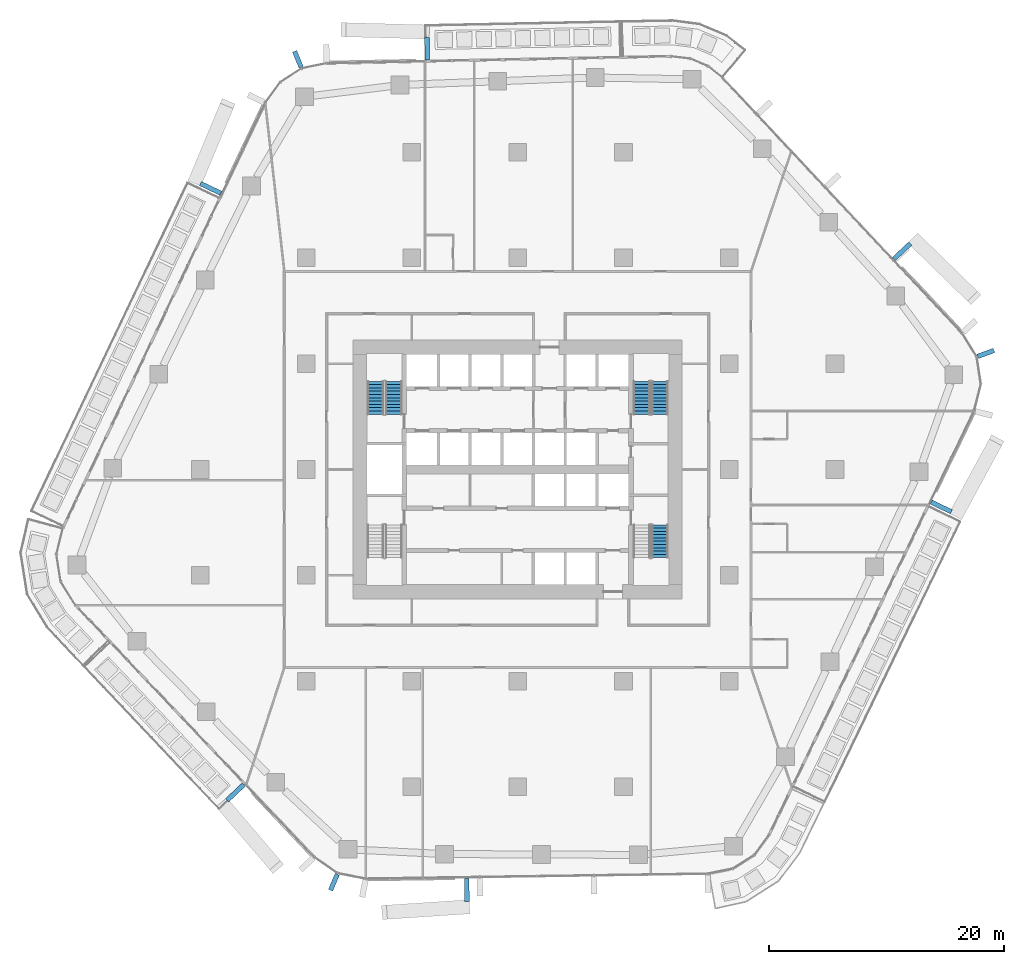
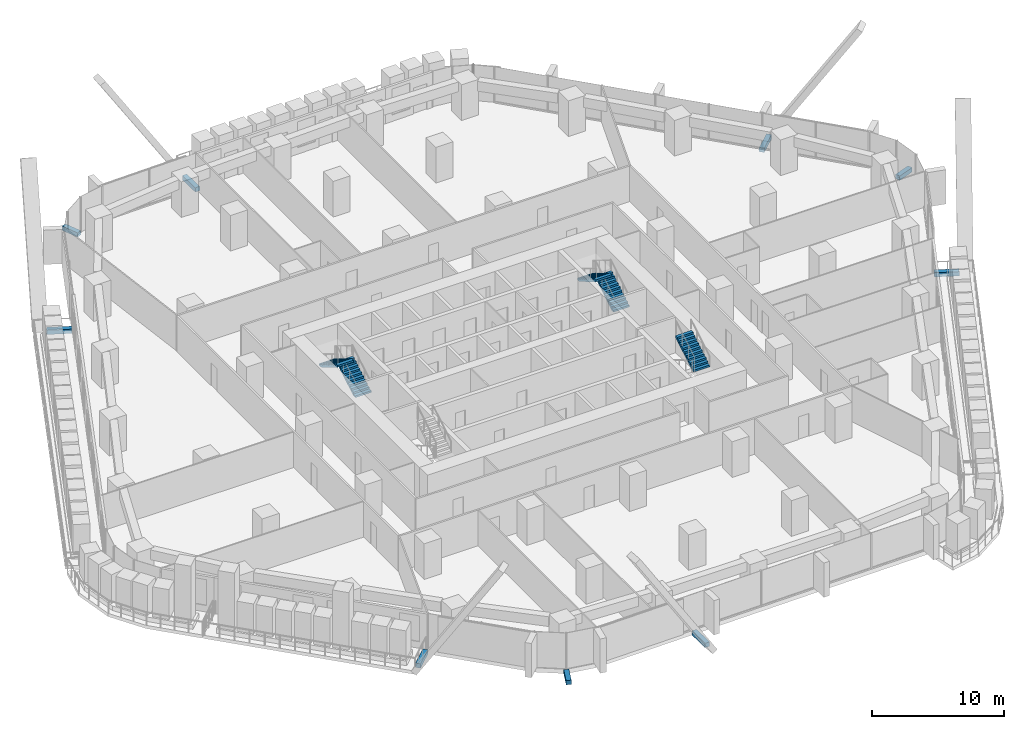
# One storey, part 18 of 24: 9 discrete accessories, 5 stair flights, 3 elements without a shape of their own.
"""IFC4 building model written with IfcOpenShell, lengths in metres."""

from ifc_helpers import new_model, si_unit, direction, frame, origin, origin_2d, place, context, subcontext, project, spatial, polyline, rectangle, outline, extrude, material, layer, layer_set, type_object, element, aggregate, save


model = new_model("IFC4")

# Units and contexts
model_context = context("Model", 3, precision=1e-05, world=origin(), true_north=direction((0.0, 1.0)))
body_context = subcontext(model_context, "Body", "Model", "MODEL_VIEW")
ifc_project = project(units=[si_unit("LENGTHUNIT", "METRE"), si_unit("AREAUNIT", "SQUARE_METRE"), si_unit("VOLUMEUNIT", "CUBIC_METRE"), si_unit("PLANEANGLEUNIT", "RADIAN"), si_unit("MASSUNIT", "GRAM", prefix="KILO")], contexts=[model_context])

# Site, building, storey
site_placement = place(None, origin())
site = spatial("IfcSite", under=ifc_project, at=site_placement, CompositionType="ELEMENT")
building_placement = place(site_placement, origin())
building = spatial("IfcBuilding", under=site, at=building_placement, Name="Dongbaek Canopy Tower", CompositionType="ELEMENT")
storey_placement = place(building_placement, frame((0.0, 0.0, 51.39990234375)))
storey = spatial("IfcBuildingStorey", under=building, at=storey_placement, Name="L08", CompositionType="ELEMENT", Elevation=51.39990234375)

# Stair, stair flights
ifc_material_1 = material(Name="Concrete C40/50", Category="concrete")
stair_type = type_object("IfcStairType", Name="Core exit stair", PredefinedType="HALF_TURN_STAIR", material=ifc_material_1)
stair_1_placement = place(storey_placement, origin())
stair_1 = element("IfcStair", 1, at=stair_1_placement, inside=storey, type_object=stair_type, Name="L08 exit stair A", PredefinedType="HALF_TURN_STAIR")
ifc_material_2 = material(Name="Concrete C40/50", Category="concrete")
ifc_layer = layer(ifc_material_2, 0.14990234375)
ifc_layer_set = layer_set([ifc_layer], Name="Core stair flight 150 waist")
stair_flight_type = type_object("IfcStairFlightType", Name="Core stair flight 150 waist", PredefinedType="STRAIGHT", material=ifc_layer_set)
stair_flight_1_placement = place(storey_placement, frame((12.10009765625, 4.699951171875, 0.0), z_axis=(0.0, 0.0, 1.0), x_axis=(0.0, 1.0, 0.0)))
stair_flight_1 = element("IfcStairFlight", 2, at=stair_flight_1_placement, type_object=stair_flight_type, Name="ST-A flight 1", NumberOfRisers=11, NumberOfTreads=10, PredefinedType="STRAIGHT", RiserHeight=0.168181818, TreadLength=0.28, context=body_context, shape_type="SweptSolid", body=[
    extrude(outline(polyline([(0.0, 0.0), (0.0, 0.168212890625), (0.280029296875, 0.168212890625), (0.280029296875, 0.33642578125), (0.56005859375, 0.33642578125), (0.56005859375, 0.504638671875), (0.840087890625, 0.504638671875), (0.840087890625, 0.672607421875), (1.1201171875, 0.672607421875), (1.1201171875, 0.8408203125), (1.39990234375, 0.8408203125), (1.39990234375, 1.009033203125), (1.679931640625, 1.009033203125), (1.679931640625, 1.17724609375), (1.9599609375, 1.17724609375), (1.9599609375, 1.345458984375), (2.239990234375, 1.345458984375), (2.239990234375, 1.513671875), (2.52001953125, 1.513671875), (2.52001953125, 1.681884765625), (2.800048828125, 1.681884765625), (2.800048828125, 1.85009765625), (2.800048828125, 1.5068359375), (0.291015625, 0.0), (0.0, 0.0)])), frame((0.0, 0.699951171875, 0.0), z_axis=(0.0, -1.0, 0.0), x_axis=(1.0, 0.0, 0.0)), (0.0, 0.0, 1.0), 1.39990234375),
])
stair_flight_2_placement = place(storey_placement, frame((10.550048828125, 7.5, 1.85009765625), z_axis=(0.0, 0.0, 1.0), x_axis=(0.0, -1.0, 0.0)))
stair_flight_2 = element("IfcStairFlight", 3, at=stair_flight_2_placement, type_object=stair_flight_type, Name="ST-A flight 2", NumberOfRisers=11, NumberOfTreads=10, PredefinedType="STRAIGHT", RiserHeight=0.168181818, TreadLength=0.28, context=body_context, shape_type="SweptSolid", body=[
    extrude(outline(polyline([(0.0, 0.0), (0.0, 0.168212890625), (0.280029296875, 0.168212890625), (0.280029296875, 0.33642578125), (0.56005859375, 0.33642578125), (0.56005859375, 0.504638671875), (0.840087890625, 0.504638671875), (0.840087890625, 0.672607421875), (1.1201171875, 0.672607421875), (1.1201171875, 0.8408203125), (1.39990234375, 0.8408203125), (1.39990234375, 1.009033203125), (1.679931640625, 1.009033203125), (1.679931640625, 1.17724609375), (1.9599609375, 1.17724609375), (1.9599609375, 1.345458984375), (2.239990234375, 1.345458984375), (2.239990234375, 1.513671875), (2.52001953125, 1.513671875), (2.52001953125, 1.681884765625), (2.800048828125, 1.681884765625), (2.800048828125, 1.85009765625), (2.800048828125, 1.5068359375), (0.291015625, 0.0), (0.0, 0.0)])), frame((0.0, 0.699951171875, 0.0), z_axis=(0.0, -1.0, 0.0), x_axis=(1.0, 0.0, 0.0)), (0.0, 0.0, 1.0), 1.39990234375),
])
aggregate(stair_1, [stair_flight_1, stair_flight_2])

stair_2_placement = place(storey_placement, origin())
stair_2 = element("IfcStair", 4, at=stair_2_placement, inside=storey, type_object=stair_type, Name="L08 exit stair C", PredefinedType="HALF_TURN_STAIR")
stair_flight_3_placement = place(storey_placement, frame((-10.550048828125, 4.699951171875, 0.0), z_axis=(0.0, 0.0, 1.0), x_axis=(0.0, 1.0, 0.0)))
stair_flight_3 = element("IfcStairFlight", 5, at=stair_flight_3_placement, type_object=stair_flight_type, Name="ST-C flight 1", NumberOfRisers=11, NumberOfTreads=10, PredefinedType="STRAIGHT", RiserHeight=0.168181818, TreadLength=0.28, context=body_context, shape_type="SweptSolid", body=[
    extrude(outline(polyline([(0.0, 0.0), (0.0, 0.168212890625), (0.280029296875, 0.168212890625), (0.280029296875, 0.33642578125), (0.56005859375, 0.33642578125), (0.56005859375, 0.504638671875), (0.840087890625, 0.504638671875), (0.840087890625, 0.672607421875), (1.1201171875, 0.672607421875), (1.1201171875, 0.8408203125), (1.39990234375, 0.8408203125), (1.39990234375, 1.009033203125), (1.679931640625, 1.009033203125), (1.679931640625, 1.17724609375), (1.9599609375, 1.17724609375), (1.9599609375, 1.345458984375), (2.239990234375, 1.345458984375), (2.239990234375, 1.513671875), (2.52001953125, 1.513671875), (2.52001953125, 1.681884765625), (2.800048828125, 1.681884765625), (2.800048828125, 1.85009765625), (2.800048828125, 1.5068359375), (0.291015625, 0.0), (0.0, 0.0)])), frame((0.0, 0.699951171875, 0.0), z_axis=(0.0, -1.0, 0.0), x_axis=(1.0, 0.0, 0.0)), (0.0, 0.0, 1.0), 1.39990234375),
])
stair_flight_4_placement = place(storey_placement, frame((-12.10009765625, 7.5, 1.85009765625), z_axis=(0.0, 0.0, 1.0), x_axis=(0.0, -1.0, 0.0)))
stair_flight_4 = element("IfcStairFlight", 6, at=stair_flight_4_placement, type_object=stair_flight_type, Name="ST-C flight 2", NumberOfRisers=11, NumberOfTreads=10, PredefinedType="STRAIGHT", RiserHeight=0.168181818, TreadLength=0.28, context=body_context, shape_type="SweptSolid", body=[
    extrude(outline(polyline([(0.0, 0.0), (0.0, 0.168212890625), (0.280029296875, 0.168212890625), (0.280029296875, 0.33642578125), (0.56005859375, 0.33642578125), (0.56005859375, 0.504638671875), (0.840087890625, 0.504638671875), (0.840087890625, 0.672607421875), (1.1201171875, 0.672607421875), (1.1201171875, 0.8408203125), (1.39990234375, 0.8408203125), (1.39990234375, 1.009033203125), (1.679931640625, 1.009033203125), (1.679931640625, 1.17724609375), (1.9599609375, 1.17724609375), (1.9599609375, 1.345458984375), (2.239990234375, 1.345458984375), (2.239990234375, 1.513671875), (2.52001953125, 1.513671875), (2.52001953125, 1.681884765625), (2.800048828125, 1.681884765625), (2.800048828125, 1.85009765625), (2.800048828125, 1.5068359375), (0.291015625, 0.0), (0.0, 0.0)])), frame((0.0, 0.699951171875, 0.0), z_axis=(0.0, -1.0, 0.0), x_axis=(1.0, 0.0, 0.0)), (0.0, 0.0, 1.0), 1.39990234375),
])
aggregate(stair_2, [stair_flight_3, stair_flight_4])

# Stair, stair flight
stair_3_placement = place(storey_placement, origin())
stair_3 = element("IfcStair", 7, at=stair_3_placement, inside=storey, type_object=stair_type, Name="L08 exit stair B", PredefinedType="HALF_TURN_STAIR")
stair_flight_5_placement = place(storey_placement, frame((12.10009765625, -7.5, 1.85009765625), z_axis=(0.0, 0.0, 1.0), x_axis=(0.0, 1.0, 0.0)))
stair_flight_5 = element("IfcStairFlight", 8, at=stair_flight_5_placement, type_object=stair_flight_type, Name="ST-B flight 2", NumberOfRisers=11, NumberOfTreads=10, PredefinedType="STRAIGHT", RiserHeight=0.168181818, TreadLength=0.28, context=body_context, shape_type="SweptSolid", body=[
    extrude(outline(polyline([(0.0, 0.0), (0.0, 0.168212890625), (0.280029296875, 0.168212890625), (0.280029296875, 0.33642578125), (0.56005859375, 0.33642578125), (0.56005859375, 0.504638671875), (0.840087890625, 0.504638671875), (0.840087890625, 0.672607421875), (1.1201171875, 0.672607421875), (1.1201171875, 0.8408203125), (1.39990234375, 0.8408203125), (1.39990234375, 1.009033203125), (1.679931640625, 1.009033203125), (1.679931640625, 1.17724609375), (1.9599609375, 1.17724609375), (1.9599609375, 1.345458984375), (2.239990234375, 1.345458984375), (2.239990234375, 1.513671875), (2.52001953125, 1.513671875), (2.52001953125, 1.681884765625), (2.800048828125, 1.681884765625), (2.800048828125, 1.85009765625), (2.800048828125, 1.5068359375), (0.291015625, 0.0), (0.0, 0.0)])), frame((0.0, 0.699951171875, 0.0), z_axis=(0.0, -1.0, 0.0), x_axis=(1.0, 0.0, 0.0)), (0.0, 0.0, 1.0), 1.39990234375),
])
aggregate(stair_3, [stair_flight_5])

# Discrete accessories
ifc_material_3 = material(Name="Galvanised steel S355 bracket", Category="steel")
discrete_accessory_type = type_object("IfcDiscreteAccessoryType", Name="Crease fin bracket BR3 400", PredefinedType="BRACKET", material=ifc_material_3)
discrete_accessory_1_placement = place(storey_placement, frame((36.043212890625, -3.18505859375, -0.39990234375), z_axis=(0.0, 0.0, 1.0), x_axis=(0.900311934697, -0.435245241493, 0.0)))
element("IfcDiscreteAccessory", 9, at=discrete_accessory_1_placement, inside=storey, type_object=discrete_accessory_type, Name="Crease fin bracket L08 F5", PredefinedType="BRACKET", context=body_context, shape_type="SweptSolid", body=[
    extrude(rectangle(XDim=1.902587890625, YDim=0.39990234375, at=origin_2d()), origin(), (0.0, 0.0, 1.0), 0.39990234375),
])
discrete_accessory_2_placement = place(storey_placement, frame((32.712646484375, 18.56982421875, -0.39990234375), z_axis=(0.0, 0.0, 1.0), x_axis=(0.729368747427, 0.684120771704, 0.0)))
element("IfcDiscreteAccessory", 10, at=discrete_accessory_2_placement, inside=storey, type_object=discrete_accessory_type, Name="Crease fin bracket L08 F0", PredefinedType="BRACKET", context=body_context, shape_type="SweptSolid", body=[
    extrude(rectangle(XDim=1.9033203125, YDim=0.39990234375, at=origin_2d()), origin(), (0.0, 0.0, 1.0), 0.39990234375),
])
discrete_accessory_3_placement = place(storey_placement, frame((-7.697509765625, 35.791015625, -0.39990234375), z_axis=(0.0, 0.0, 1.0), x_axis=(-0.019925105424, 0.999801475381, 0.0)))
element("IfcDiscreteAccessory", 11, at=discrete_accessory_3_placement, inside=storey, type_object=discrete_accessory_type, Name="Crease fin bracket L08 F1", PredefinedType="BRACKET", context=body_context, shape_type="SweptSolid", body=[
    extrude(rectangle(XDim=1.916259765625, YDim=0.39990234375, at=origin_2d()), origin(), (0.0, 0.0, 1.0), 0.39990234375),
])
discrete_accessory_4_placement = place(storey_placement, frame((-26.1162109375, 23.913818359375, -0.39990234375), z_axis=(0.0, 0.0, 1.0), x_axis=(-0.902929129641, 0.429789468049, 0.0)))
element("IfcDiscreteAccessory", 12, at=discrete_accessory_4_placement, inside=storey, type_object=discrete_accessory_type, Name="Crease fin bracket L08 F2", PredefinedType="BRACKET", context=body_context, shape_type="SweptSolid", body=[
    extrude(rectangle(XDim=1.9248046875, YDim=0.39990234375, at=origin_2d()), origin(), (0.0, 0.0, 1.0), 0.39990234375),
])
discrete_accessory_5_placement = place(storey_placement, frame((-24.002685546875, -27.4736328125, -0.39990234375), z_axis=(0.0, 0.0, 1.0), x_axis=(-0.725626617414, -0.688088665871, 0.0)))
element("IfcDiscreteAccessory", 13, at=discrete_accessory_5_placement, inside=storey, type_object=discrete_accessory_type, Name="Crease fin bracket L08 F3", PredefinedType="BRACKET", context=body_context, shape_type="SweptSolid", body=[
    extrude(rectangle(XDim=1.9599609375, YDim=0.39990234375, at=origin_2d()), origin(), (0.0, 0.0, 1.0), 0.39990234375),
])
discrete_accessory_6_placement = place(storey_placement, frame((-4.319091796875, -35.76123046875, -0.39990234375), z_axis=(0.0, 0.0, 1.0), x_axis=(0.014618357116, -0.999893146109, 0.0)))
element("IfcDiscreteAccessory", 14, at=discrete_accessory_6_placement, inside=storey, type_object=discrete_accessory_type, Name="Crease fin bracket L08 F4", PredefinedType="BRACKET", context=body_context, shape_type="SweptSolid", body=[
    extrude(rectangle(XDim=1.948486328125, YDim=0.39990234375, at=origin_2d()), origin(), (0.0, 0.0, 1.0), 0.39990234375),
])
for number, where, z_axis, x_axis, name in (
    (15, (39.835693359375, 9.877197265625, -0.39990234375), (0.0, 0.0, 1.0), (0.938629752704, 0.344926350601, 0.0), "Corner fin bracket L08 K0"),
    (16, (-18.69775390625, 34.8955078125, -0.39990234375), (0.0, 0.0, 1.0), (-0.379075035592, 0.925365937017, 0.0), "Corner fin bracket L08 K2"),
    (17, (-15.632568359375, -35.120361328125, -0.39990234375), (0.0, 0.0, 1.0), (-0.38818641788, -0.921580872725, 0.0), "Corner fin bracket L08 K4"),
):
    element("IfcDiscreteAccessory", number, at=place(storey_placement, frame(where, z_axis=z_axis, x_axis=x_axis)), inside=storey, type_object=discrete_accessory_type, Name=name, PredefinedType="BRACKET", context=body_context, shape_type="SweptSolid", body=[
        extrude(rectangle(XDim=1.469970703125, YDim=0.39990234375, at=origin_2d()), origin(), (0.0, 0.0, 1.0), 0.39990234375),
    ])

save(model, "model.ifc")
